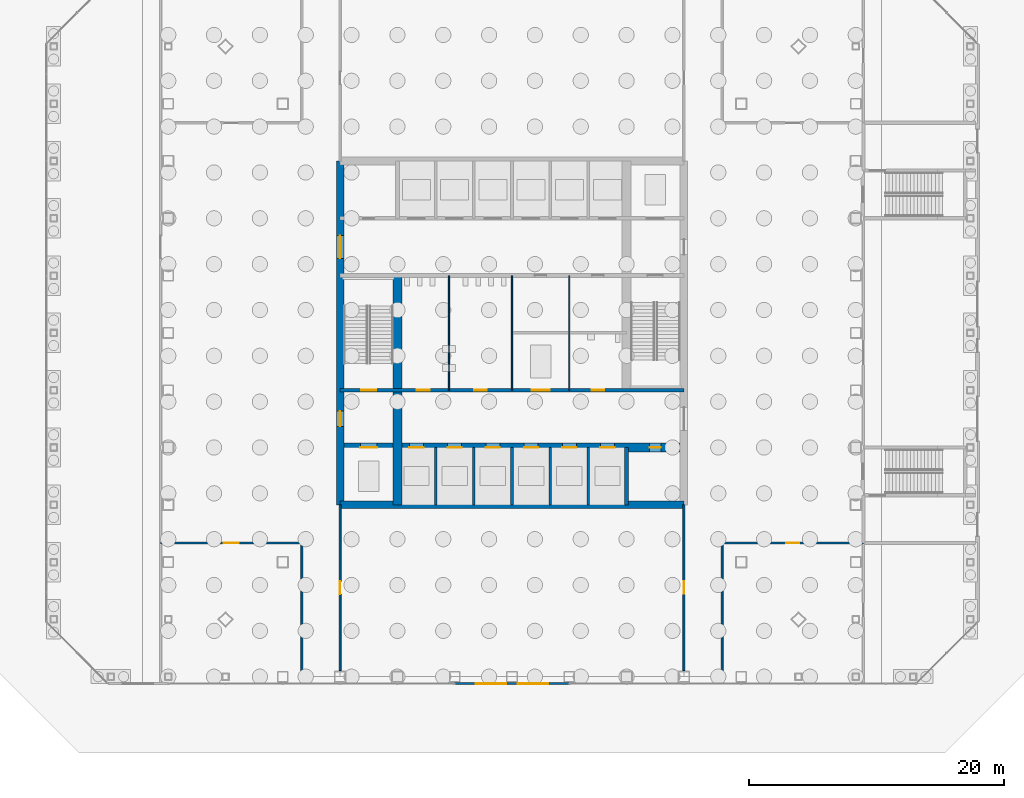
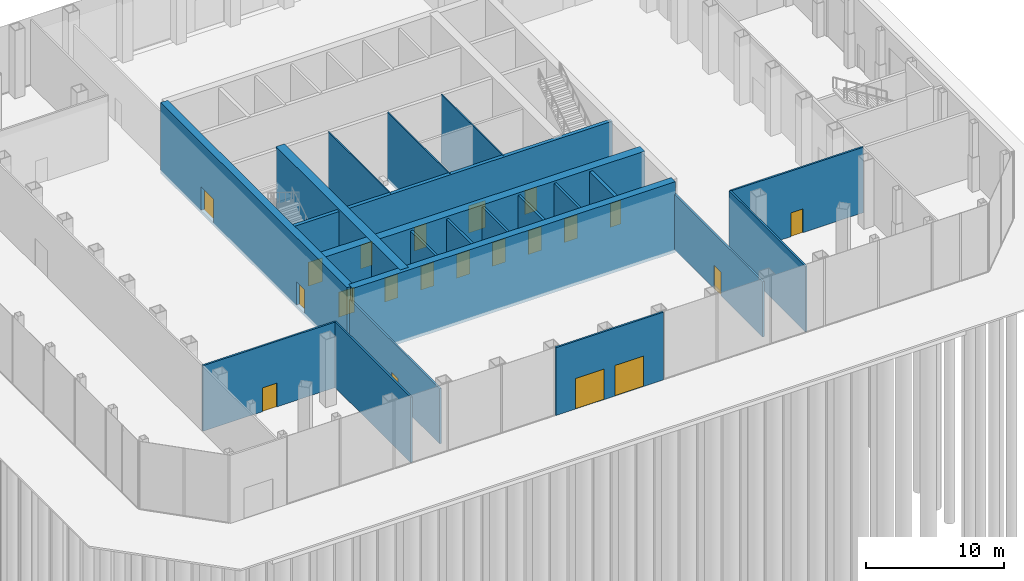
# One storey, part 17 of 24: 21 doors, 21 walls, 21 openings.
"""IFC4 building model written with IfcOpenShell, lengths in metres."""

from ifc_helpers import new_model, si_unit, direction, frame, frame_2d, origin, place, context, subcontext, project, spatial, rectangle, extrude, material, layer, layer_set, type_object, element, fill, save


model = new_model("IFC4")

# Units and contexts
model_context = context("Model", 3, precision=1e-05, world=origin(), true_north=direction((0.0, 1.0)))
body_context = subcontext(model_context, "Body", "Model", "MODEL_VIEW")
ifc_project = project(units=[si_unit("LENGTHUNIT", "METRE"), si_unit("AREAUNIT", "SQUARE_METRE"), si_unit("VOLUMEUNIT", "CUBIC_METRE"), si_unit("PLANEANGLEUNIT", "RADIAN"), si_unit("MASSUNIT", "GRAM", prefix="KILO")], contexts=[model_context])

# Site, building, storey
site_placement = place(None, origin())
site = spatial("IfcSite", under=ifc_project, at=site_placement, CompositionType="ELEMENT")
building_placement = place(site_placement, origin())
building = spatial("IfcBuilding", under=site, at=building_placement, Name="Corais Broadcast Tower", CompositionType="ELEMENT")
storey_placement = place(building_placement, origin())
storey = spatial("IfcBuildingStorey", under=building, at=storey_placement, Name="L00", CompositionType="ELEMENT", Elevation=0.0)

# Wall
ifc_material_1 = material(Name="Concrete blockwork class A, grouted, two-hour", Category="masonry")
ifc_layer_1 = layer(ifc_material_1, 0.300048828125)
ifc_layer_set_1 = layer_set([ifc_layer_1], Name="Concrete blockwork class A, grouted, two-hour")
wall_type_1 = type_object("IfcWallType", Name="Core lobby wall 300", PredefinedType="SOLIDWALL", material=ifc_layer_set_1)
wall_1_placement = place(storey_placement, frame((36.0, 13.5, -0.25), z_axis=(0.0, 0.0, 1.0), x_axis=(0.0, 1.0, 0.0)))
element("IfcWall", 1, at=wall_1_placement, inside=storey, type_object=wall_type_1, Name="CL1 core shaft wall X36A L00", PredefinedType="SOLIDWALL", context=body_context, shape_type="SweptSolid", body=[
    extrude(rectangle(XDim=4.5, YDim=0.300048828125, at=frame_2d((2.25, 0.0))), origin(), (0.0, 0.0, 1.0), 6.050048828125),
])

# Wall, openings, doors
wall_2_placement = place(storey_placement, frame((13.5, 22.5, -0.25), z_axis=(0.0, 0.0, 1.0), x_axis=(1.0, 0.0, 0.0)))
wall_2 = element("IfcWall", 2, at=wall_2_placement, inside=storey, type_object=wall_type_1, Name="CL1 core lobby wall Y225 L00", PredefinedType="SOLIDWALL", context=body_context, shape_type="SweptSolid", body=[
    extrude(rectangle(XDim=27.0, YDim=0.300048828125, at=frame_2d((13.5, 0.0))), origin(), (0.0, 0.0, 1.0), 6.050048828125),
])
opening_1_placement = place(wall_2_placement, frame((1.64990234375, 0.0, 0.25)))
opening_1 = element("IfcOpeningElement", 3, at=opening_1_placement, cuts=wall_2, Name="Opening FD1", PredefinedType="OPENING", context=body_context, shape_type="SweptSolid", body=[
    extrude(rectangle(XDim=1.199951171875, YDim=2.10009765625, at=frame_2d((0.60009765625, 1.050048828125))), frame((0.0, 0.159912109375, 0.0), z_axis=(0.0, -1.0, 0.0), x_axis=(1.0, 0.0, 0.0)), (0.0, 0.0, 1.0), 0.320068359375),
])
opening_2_placement = place(wall_2_placement, frame((6.02490234375, 0.0, 0.25)))
opening_2 = element("IfcOpeningElement", 4, at=opening_2_placement, cuts=wall_2, Name="Opening WD1", PredefinedType="OPENING", context=body_context, shape_type="SweptSolid", body=[
    extrude(rectangle(XDim=1.0, YDim=2.10009765625, at=frame_2d((0.5, 1.050048828125))), frame((0.0, 0.159912109375, 0.0), z_axis=(0.0, -1.0, 0.0), x_axis=(1.0, 0.0, 0.0)), (0.0, 0.0, 1.0), 0.320068359375),
])
opening_3_placement = place(wall_2_placement, frame((10.52490234375, 0.0, 0.25)))
opening_3 = element("IfcOpeningElement", 5, at=opening_3_placement, cuts=wall_2, Name="Opening WD1", PredefinedType="OPENING", context=body_context, shape_type="SweptSolid", body=[
    extrude(rectangle(XDim=1.0, YDim=2.10009765625, at=frame_2d((0.5, 1.050048828125))), frame((0.0, 0.159912109375, 0.0), z_axis=(0.0, -1.0, 0.0), x_axis=(1.0, 0.0, 0.0)), (0.0, 0.0, 1.0), 0.320068359375),
])
opening_4_placement = place(wall_2_placement, frame((19.75, 0.0, 0.25)))
opening_4 = element("IfcOpeningElement", 6, at=opening_4_placement, cuts=wall_2, Name="Opening WD1", PredefinedType="OPENING", context=body_context, shape_type="SweptSolid", body=[
    extrude(rectangle(XDim=1.0, YDim=2.10009765625, at=frame_2d((0.5, 1.050048828125))), frame((0.0, 0.159912109375, 0.0), z_axis=(0.0, -1.0, 0.0), x_axis=(1.0, 0.0, 0.0)), (0.0, 0.0, 1.0), 0.320068359375),
])
opening_5_placement = place(wall_2_placement, frame((15.050048828125, 0.0, 0.25)))
opening_5 = element("IfcOpeningElement", 7, at=opening_5_placement, cuts=wall_2, Name="Opening LD3", PredefinedType="OPENING", context=body_context, shape_type="SweptSolid", body=[
    extrude(rectangle(XDim=1.39990234375, YDim=2.39990234375, at=frame_2d((0.699951171875, 1.199951171875))), frame((0.0, 0.159912109375, 0.0), z_axis=(0.0, -1.0, 0.0), x_axis=(1.0, 0.0, 0.0)), (0.0, 0.0, 1.0), 0.320068359375),
])
ifc_material_2 = material(Name="Steel fire door", Category="steel")
door_type_1 = type_object("IfcDoorType", Name="Fire door 1200x2100", OperationType="SINGLE_SWING_LEFT", PredefinedType="DOOR", material=ifc_material_2)
door_1_placement = place(opening_1_placement, origin())
door_1 = element("IfcDoor", 8, at=door_1_placement, inside=storey, type_object=door_type_1, Name="FD1 stair A door L00", OperationType="SINGLE_SWING_LEFT", OverallHeight=2.10009765625, OverallWidth=1.199951171875, PredefinedType="DOOR", context=body_context, shape_type="SweptSolid", body=[
    extrude(rectangle(XDim=1.199951171875, YDim=2.10009765625, at=frame_2d((0.60009765625, 1.050048828125))), frame((0.0, 0.02490234375, 0.0), z_axis=(0.0, -1.0, 0.0), x_axis=(1.0, 0.0, 0.0)), (0.0, 0.0, 1.0), 0.050048828125),
])
fill(opening_1, door_1)
ifc_material_3 = material(Name="Stainless steel lift door", Category="steel")
door_type_2 = type_object("IfcDoorType", Name="Service lift landing door 1400x2400", OperationType="SLIDING_TO_LEFT", PredefinedType="DOOR", material=ifc_material_3)
door_2_placement = place(opening_5_placement, origin())
door_2 = element("IfcDoor", 9, at=door_2_placement, inside=storey, type_object=door_type_2, Name="LD3 SL1 landing door L00", OperationType="SLIDING_TO_LEFT", OverallHeight=2.39990234375, OverallWidth=1.39990234375, PredefinedType="DOOR", context=body_context, shape_type="SweptSolid", body=[
    extrude(rectangle(XDim=1.39990234375, YDim=2.39990234375, at=frame_2d((0.699951171875, 1.199951171875))), frame((0.0, 0.02490234375, 0.0), z_axis=(0.0, -1.0, 0.0), x_axis=(1.0, 0.0, 0.0)), (0.0, 0.0, 1.0), 0.050048828125),
])
fill(opening_5, door_2)
ifc_material_4 = material(Name="Timber door", Category="wood")
door_type_3 = type_object("IfcDoorType", Name="Toilet door 1000x2100", OperationType="SINGLE_SWING_LEFT", PredefinedType="DOOR", material=ifc_material_4)
door_3_placement = place(opening_2_placement, origin())
door_3 = element("IfcDoor", 10, at=door_3_placement, inside=storey, type_object=door_type_3, Name="WD1 WC male door L00", OperationType="SINGLE_SWING_LEFT", OverallHeight=2.10009765625, OverallWidth=1.0, PredefinedType="DOOR", context=body_context, shape_type="SweptSolid", body=[
    extrude(rectangle(XDim=1.0, YDim=2.10009765625, at=frame_2d((0.5, 1.050048828125))), frame((0.0, 0.02490234375, 0.0), z_axis=(0.0, -1.0, 0.0), x_axis=(1.0, 0.0, 0.0)), (0.0, 0.0, 1.0), 0.050048828125),
])
fill(opening_2, door_3)
door_4_placement = place(opening_3_placement, origin())
door_4 = element("IfcDoor", 11, at=door_4_placement, inside=storey, type_object=door_type_3, Name="WD1 WC female door L00", OperationType="SINGLE_SWING_LEFT", OverallHeight=2.10009765625, OverallWidth=1.0, PredefinedType="DOOR", context=body_context, shape_type="SweptSolid", body=[
    extrude(rectangle(XDim=1.0, YDim=2.10009765625, at=frame_2d((0.5, 1.050048828125))), frame((0.0, 0.02490234375, 0.0), z_axis=(0.0, -1.0, 0.0), x_axis=(1.0, 0.0, 0.0)), (0.0, 0.0, 1.0), 0.050048828125),
])
fill(opening_3, door_4)
door_5_placement = place(opening_4_placement, origin())
door_5 = element("IfcDoor", 12, at=door_5_placement, inside=storey, type_object=door_type_3, Name="WD1 accessible WC door L00", OperationType="SINGLE_SWING_RIGHT", OverallHeight=2.10009765625, OverallWidth=1.0, PredefinedType="DOOR", context=body_context, shape_type="SweptSolid", body=[
    extrude(rectangle(XDim=1.0, YDim=2.10009765625, at=frame_2d((0.5, 1.050048828125))), frame((0.0, 0.02490234375, 0.0), z_axis=(0.0, -1.0, 0.0), x_axis=(1.0, 0.0, 0.0)), (0.0, 0.0, 1.0), 0.050048828125),
])
fill(opening_4, door_5)

# Wall
ifc_material_5 = material(Name="Concrete C50/60", Category="concrete")
ifc_layer_2 = layer(ifc_material_5, 0.699951171875)
ifc_layer_set_2 = layer_set([ifc_layer_2], Name="Concrete C50/60")
wall_type_2 = type_object("IfcWallType", Name="Core spine wall 700", PredefinedType="SHEAR", material=ifc_layer_set_2)
wall_3_placement = place(storey_placement, frame((18.0, 13.5, -0.25), z_axis=(0.0, 0.0, 1.0), x_axis=(0.0, 1.0, 0.0)))
element("IfcWall", 13, at=wall_3_placement, inside=storey, type_object=wall_type_2, Name="CR700 core wall X18A L00", PredefinedType="SHEAR", context=body_context, shape_type="SweptSolid", body=[
    extrude(rectangle(XDim=18.0, YDim=0.699951171875, at=frame_2d((9.0, 0.0))), origin(), (0.0, 0.0, 1.0), 6.25),
])

# Wall, openings, doors
wall_4_placement = place(storey_placement, frame((13.5, 18.0, -0.25), z_axis=(0.0, 0.0, 1.0), x_axis=(1.0, 0.0, 0.0)))
wall_4 = element("IfcWall", 14, at=wall_4_placement, inside=storey, type_object=wall_type_2, Name="CR700 core wall Y18 L00", PredefinedType="SHEAR", context=body_context, shape_type="SweptSolid", body=[
    extrude(rectangle(XDim=27.0, YDim=0.699951171875, at=frame_2d((13.5, 0.0))), origin(), (0.0, 0.0, 1.0), 6.25),
])
opening_6_placement = place(wall_4_placement, frame((24.300048828125, 0.0, 0.25)))
opening_6 = element("IfcOpeningElement", 15, at=opening_6_placement, cuts=wall_4, Name="Opening RD1", PredefinedType="OPENING", context=body_context, shape_type="SweptSolid", body=[
    extrude(rectangle(XDim=0.89990234375, YDim=2.10009765625, at=frame_2d((0.449951171875, 1.050048828125))), frame((0.0, 0.35986328125, 0.0), z_axis=(0.0, -1.0, 0.0), x_axis=(1.0, 0.0, 0.0)), (0.0, 0.0, 1.0), 0.719970703125),
])
opening_7_placement = place(wall_4_placement, frame((5.449951171875, 0.0, 0.25)))
opening_7 = element("IfcOpeningElement", 16, at=opening_7_placement, cuts=wall_4, Name="Opening LD1", PredefinedType="OPENING", context=body_context, shape_type="SweptSolid", body=[
    extrude(rectangle(XDim=1.10009765625, YDim=2.10009765625, at=frame_2d((0.550048828125, 1.050048828125))), frame((0.0, 0.35986328125, 0.0), z_axis=(0.0, -1.0, 0.0), x_axis=(1.0, 0.0, 0.0)), (0.0, 0.0, 1.0), 0.719970703125),
])
opening_8_placement = place(wall_4_placement, frame((8.449951171875, 0.0, 0.25)))
opening_8 = element("IfcOpeningElement", 17, at=opening_8_placement, cuts=wall_4, Name="Opening LD1", PredefinedType="OPENING", context=body_context, shape_type="SweptSolid", body=[
    extrude(rectangle(XDim=1.10009765625, YDim=2.10009765625, at=frame_2d((0.550048828125, 1.050048828125))), frame((0.0, 0.35986328125, 0.0), z_axis=(0.0, -1.0, 0.0), x_axis=(1.0, 0.0, 0.0)), (0.0, 0.0, 1.0), 0.719970703125),
])
opening_9_placement = place(wall_4_placement, frame((11.449951171875, 0.0, 0.25)))
opening_9 = element("IfcOpeningElement", 18, at=opening_9_placement, cuts=wall_4, Name="Opening LD1", PredefinedType="OPENING", context=body_context, shape_type="SweptSolid", body=[
    extrude(rectangle(XDim=1.10009765625, YDim=2.10009765625, at=frame_2d((0.550048828125, 1.050048828125))), frame((0.0, 0.35986328125, 0.0), z_axis=(0.0, -1.0, 0.0), x_axis=(1.0, 0.0, 0.0)), (0.0, 0.0, 1.0), 0.719970703125),
])
opening_10_placement = place(wall_4_placement, frame((14.449951171875, 0.0, 0.25)))
opening_10 = element("IfcOpeningElement", 19, at=opening_10_placement, cuts=wall_4, Name="Opening LD1", PredefinedType="OPENING", context=body_context, shape_type="SweptSolid", body=[
    extrude(rectangle(XDim=1.10009765625, YDim=2.10009765625, at=frame_2d((0.550048828125, 1.050048828125))), frame((0.0, 0.35986328125, 0.0), z_axis=(0.0, -1.0, 0.0), x_axis=(1.0, 0.0, 0.0)), (0.0, 0.0, 1.0), 0.719970703125),
])
opening_11_placement = place(wall_4_placement, frame((17.449951171875, 0.0, 0.25)))
opening_11 = element("IfcOpeningElement", 20, at=opening_11_placement, cuts=wall_4, Name="Opening LD1", PredefinedType="OPENING", context=body_context, shape_type="SweptSolid", body=[
    extrude(rectangle(XDim=1.10009765625, YDim=2.10009765625, at=frame_2d((0.550048828125, 1.050048828125))), frame((0.0, 0.35986328125, 0.0), z_axis=(0.0, -1.0, 0.0), x_axis=(1.0, 0.0, 0.0)), (0.0, 0.0, 1.0), 0.719970703125),
])
opening_12_placement = place(wall_4_placement, frame((20.449951171875, 0.0, 0.25)))
opening_12 = element("IfcOpeningElement", 21, at=opening_12_placement, cuts=wall_4, Name="Opening LD1", PredefinedType="OPENING", context=body_context, shape_type="SweptSolid", body=[
    extrude(rectangle(XDim=1.10009765625, YDim=2.10009765625, at=frame_2d((0.550048828125, 1.050048828125))), frame((0.0, 0.35986328125, 0.0), z_axis=(0.0, -1.0, 0.0), x_axis=(1.0, 0.0, 0.0)), (0.0, 0.0, 1.0), 0.719970703125),
])
opening_13_placement = place(wall_4_placement, frame((1.60009765625, 0.0, 0.25)))
opening_13 = element("IfcOpeningElement", 22, at=opening_13_placement, cuts=wall_4, Name="Opening LD2", PredefinedType="OPENING", context=body_context, shape_type="SweptSolid", body=[
    extrude(rectangle(XDim=1.300048828125, YDim=2.199951171875, at=frame_2d((0.64990234375, 1.10009765625))), frame((0.0, 0.35986328125, 0.0), z_axis=(0.0, -1.0, 0.0), x_axis=(1.0, 0.0, 0.0)), (0.0, 0.0, 1.0), 0.719970703125),
])
ifc_material_6 = material(Name="Stainless steel lift door", Category="steel")
door_type_4 = type_object("IfcDoorType", Name="Lift landing door 1100x2100", OperationType="SLIDING_TO_LEFT", PredefinedType="DOOR", material=ifc_material_6)
door_6_placement = place(opening_7_placement, origin())
door_6 = element("IfcDoor", 23, at=door_6_placement, inside=storey, type_object=door_type_4, Name="LD1 PL1 landing door L00", OperationType="SLIDING_TO_LEFT", OverallHeight=2.10009765625, OverallWidth=1.10009765625, PredefinedType="DOOR", context=body_context, shape_type="SweptSolid", body=[
    extrude(rectangle(XDim=1.10009765625, YDim=2.10009765625, at=frame_2d((0.550048828125, 1.050048828125))), frame((0.0, 0.02490234375, 0.0), z_axis=(0.0, -1.0, 0.0), x_axis=(1.0, 0.0, 0.0)), (0.0, 0.0, 1.0), 0.050048828125),
])
fill(opening_7, door_6)
door_7_placement = place(opening_8_placement, origin())
door_7 = element("IfcDoor", 24, at=door_7_placement, inside=storey, type_object=door_type_4, Name="LD1 PL2 landing door L00", OperationType="SLIDING_TO_LEFT", OverallHeight=2.10009765625, OverallWidth=1.10009765625, PredefinedType="DOOR", context=body_context, shape_type="SweptSolid", body=[
    extrude(rectangle(XDim=1.10009765625, YDim=2.10009765625, at=frame_2d((0.550048828125, 1.050048828125))), frame((0.0, 0.02490234375, 0.0), z_axis=(0.0, -1.0, 0.0), x_axis=(1.0, 0.0, 0.0)), (0.0, 0.0, 1.0), 0.050048828125),
])
fill(opening_8, door_7)
door_8_placement = place(opening_9_placement, origin())
door_8 = element("IfcDoor", 25, at=door_8_placement, inside=storey, type_object=door_type_4, Name="LD1 PL3 landing door L00", OperationType="SLIDING_TO_LEFT", OverallHeight=2.10009765625, OverallWidth=1.10009765625, PredefinedType="DOOR", context=body_context, shape_type="SweptSolid", body=[
    extrude(rectangle(XDim=1.10009765625, YDim=2.10009765625, at=frame_2d((0.550048828125, 1.050048828125))), frame((0.0, 0.02490234375, 0.0), z_axis=(0.0, -1.0, 0.0), x_axis=(1.0, 0.0, 0.0)), (0.0, 0.0, 1.0), 0.050048828125),
])
fill(opening_9, door_8)
door_9_placement = place(opening_10_placement, origin())
door_9 = element("IfcDoor", 26, at=door_9_placement, inside=storey, type_object=door_type_4, Name="LD1 PL4 landing door L00", OperationType="SLIDING_TO_LEFT", OverallHeight=2.10009765625, OverallWidth=1.10009765625, PredefinedType="DOOR", context=body_context, shape_type="SweptSolid", body=[
    extrude(rectangle(XDim=1.10009765625, YDim=2.10009765625, at=frame_2d((0.550048828125, 1.050048828125))), frame((0.0, 0.02490234375, 0.0), z_axis=(0.0, -1.0, 0.0), x_axis=(1.0, 0.0, 0.0)), (0.0, 0.0, 1.0), 0.050048828125),
])
fill(opening_10, door_9)
door_10_placement = place(opening_11_placement, origin())
door_10 = element("IfcDoor", 27, at=door_10_placement, inside=storey, type_object=door_type_4, Name="LD1 PL5 landing door L00", OperationType="SLIDING_TO_LEFT", OverallHeight=2.10009765625, OverallWidth=1.10009765625, PredefinedType="DOOR", context=body_context, shape_type="SweptSolid", body=[
    extrude(rectangle(XDim=1.10009765625, YDim=2.10009765625, at=frame_2d((0.550048828125, 1.050048828125))), frame((0.0, 0.02490234375, 0.0), z_axis=(0.0, -1.0, 0.0), x_axis=(1.0, 0.0, 0.0)), (0.0, 0.0, 1.0), 0.050048828125),
])
fill(opening_11, door_10)
door_11_placement = place(opening_12_placement, origin())
door_11 = element("IfcDoor", 28, at=door_11_placement, inside=storey, type_object=door_type_4, Name="LD1 PL6 landing door L00", OperationType="SLIDING_TO_LEFT", OverallHeight=2.10009765625, OverallWidth=1.10009765625, PredefinedType="DOOR", context=body_context, shape_type="SweptSolid", body=[
    extrude(rectangle(XDim=1.10009765625, YDim=2.10009765625, at=frame_2d((0.550048828125, 1.050048828125))), frame((0.0, 0.02490234375, 0.0), z_axis=(0.0, -1.0, 0.0), x_axis=(1.0, 0.0, 0.0)), (0.0, 0.0, 1.0), 0.050048828125),
])
fill(opening_12, door_11)
ifc_material_7 = material(Name="Stainless steel lift door", Category="steel")
door_type_5 = type_object("IfcDoorType", Name="Lift landing door 1300x2200", OperationType="SLIDING_TO_LEFT", PredefinedType="DOOR", material=ifc_material_7)
door_12_placement = place(opening_13_placement, origin())
door_12 = element("IfcDoor", 29, at=door_12_placement, inside=storey, type_object=door_type_5, Name="LD2 FL1 landing door L00", OperationType="SLIDING_TO_LEFT", OverallHeight=2.199951171875, OverallWidth=1.300048828125, PredefinedType="DOOR", context=body_context, shape_type="SweptSolid", body=[
    extrude(rectangle(XDim=1.300048828125, YDim=2.199951171875, at=frame_2d((0.64990234375, 1.10009765625))), frame((0.0, 0.02490234375, 0.0), z_axis=(0.0, -1.0, 0.0), x_axis=(1.0, 0.0, 0.0)), (0.0, 0.0, 1.0), 0.050048828125),
])
fill(opening_13, door_12)
ifc_material_8 = material(Name="Steel fire door", Category="steel")
door_type_6 = type_object("IfcDoorType", Name="Riser door 900x2100", OperationType="SINGLE_SWING_LEFT", PredefinedType="DOOR", material=ifc_material_8)
door_13_placement = place(opening_6_placement, origin())
door_13 = element("IfcDoor", 30, at=door_13_placement, inside=storey, type_object=door_type_6, Name="RD1 riser door L00", OperationType="SINGLE_SWING_RIGHT", OverallHeight=2.10009765625, OverallWidth=0.89990234375, PredefinedType="DOOR", context=body_context, shape_type="SweptSolid", body=[
    extrude(rectangle(XDim=0.89990234375, YDim=2.10009765625, at=frame_2d((0.449951171875, 1.050048828125))), frame((0.0, 0.02490234375, 0.0), z_axis=(0.0, -1.0, 0.0), x_axis=(1.0, 0.0, 0.0)), (0.0, 0.0, 1.0), 0.050048828125),
])
fill(opening_6, door_13)

# Wall
ifc_material_9 = material(Name="Concrete C50/60", Category="concrete")
ifc_layer_3 = layer(ifc_material_9, 0.60009765625)
ifc_layer_set_3 = layer_set([ifc_layer_3], Name="Concrete C50/60")
wall_type_3 = type_object("IfcWallType", Name="Core wall 600", PredefinedType="SHEAR", material=ifc_layer_set_3)
wall_5_placement = place(storey_placement, frame((13.5, 13.5, -0.25), z_axis=(0.0, 0.0, 1.0), x_axis=(1.0, 0.0, 0.0)))
element("IfcWall", 31, at=wall_5_placement, inside=storey, type_object=wall_type_3, Name="CR600 core wall S L00", PredefinedType="SHEAR", context=body_context, shape_type="SweptSolid", body=[
    extrude(rectangle(XDim=27.0, YDim=0.60009765625, at=frame_2d((13.5, 0.0))), origin(), (0.0, 0.0, 1.0), 6.25),
])

# Wall, openings, doors
wall_6_placement = place(storey_placement, frame((13.5, 40.5, -0.25), z_axis=(0.0, 0.0, 1.0), x_axis=(0.0, -1.0, 0.0)))
wall_6 = element("IfcWall", 32, at=wall_6_placement, inside=storey, type_object=wall_type_3, Name="CR600 core wall W L00", PredefinedType="SHEAR", context=body_context, shape_type="SweptSolid", body=[
    extrude(rectangle(XDim=27.0, YDim=0.60009765625, at=frame_2d((13.5, 0.0))), origin(), (0.0, 0.0, 1.0), 6.25),
])
opening_14_placement = place(wall_6_placement, frame((19.64990234375, 0.0, 0.25)))
opening_14 = element("IfcOpeningElement", 33, at=opening_14_placement, cuts=wall_6, Name="Opening FD1", PredefinedType="OPENING", context=body_context, shape_type="SweptSolid", body=[
    extrude(rectangle(XDim=1.199951171875, YDim=2.10009765625, at=frame_2d((0.60009765625, 1.050048828125))), frame((0.0, 0.31005859375, 0.0), z_axis=(0.0, -1.0, 0.0), x_axis=(1.0, 0.0, 0.0)), (0.0, 0.0, 1.0), 0.6201171875),
])
opening_15_placement = place(wall_6_placement, frame((5.85009765625, 0.0, 0.25)))
opening_15 = element("IfcOpeningElement", 34, at=opening_15_placement, cuts=wall_6, Name="Opening FD2", PredefinedType="OPENING", context=body_context, shape_type="SweptSolid", body=[
    extrude(rectangle(XDim=1.800048828125, YDim=2.10009765625, at=frame_2d((0.89990234375, 1.050048828125))), frame((0.0, 0.31005859375, 0.0), z_axis=(0.0, -1.0, 0.0), x_axis=(1.0, 0.0, 0.0)), (0.0, 0.0, 1.0), 0.6201171875),
])
door_14_placement = place(opening_14_placement, origin())
door_14 = element("IfcDoor", 35, at=door_14_placement, inside=storey, type_object=door_type_1, Name="FD1 fire lobby A door L00", OperationType="SINGLE_SWING_RIGHT", OverallHeight=2.10009765625, OverallWidth=1.199951171875, PredefinedType="DOOR", context=body_context, shape_type="SweptSolid", body=[
    extrude(rectangle(XDim=1.199951171875, YDim=2.10009765625, at=frame_2d((0.60009765625, 1.050048828125))), frame((0.0, 0.02490234375, 0.0), z_axis=(0.0, -1.0, 0.0), x_axis=(1.0, 0.0, 0.0)), (0.0, 0.0, 1.0), 0.050048828125),
])
fill(opening_14, door_14)
ifc_material_10 = material(Name="Steel fire door", Category="steel")
door_type_7 = type_object("IfcDoorType", Name="Fire door pair 1800x2100", OperationType="DOUBLE_DOOR_SINGLE_SWING", PredefinedType="DOOR", material=ifc_material_10)
door_15_placement = place(opening_15_placement, origin())
door_15 = element("IfcDoor", 36, at=door_15_placement, inside=storey, type_object=door_type_7, Name="FD2 lift lobby door L00", OperationType="SINGLE_SWING_LEFT", OverallHeight=2.10009765625, OverallWidth=1.800048828125, PredefinedType="DOOR", context=body_context, shape_type="SweptSolid", body=[
    extrude(rectangle(XDim=1.800048828125, YDim=2.10009765625, at=frame_2d((0.89990234375, 1.050048828125))), frame((0.0, 0.02490234375, 0.0), z_axis=(0.0, -1.0, 0.0), x_axis=(1.0, 0.0, 0.0)), (0.0, 0.0, 1.0), 0.050048828125),
])
fill(opening_15, door_15)

# Wall
ifc_material_11 = material(Name="Two layers of fire-rated gypsum board each side on steel studs", Category="steel")
ifc_layer_4 = layer(ifc_material_11, 0.14990234375)
ifc_layer_set_4 = layer_set([ifc_layer_4], Name="Two layers of fire-rated gypsum board each side on steel studs")
wall_type_4 = type_object("IfcWallType", Name="Fire-rated partition 150 EI 90", PredefinedType="PARTITIONING", material=ifc_layer_set_4)
wall_7_placement = place(storey_placement, frame((10.5, -0.52001953125, 0.0), z_axis=(0.0, 0.0, 1.0), x_axis=(0.0, 1.0, 0.0)))
element("IfcWall", 37, at=wall_7_placement, inside=storey, type_object=wall_type_4, Name="IW8 partition L00", PredefinedType="PARTITIONING", context=body_context, shape_type="SweptSolid", body=[
    extrude(rectangle(XDim=11.02001953125, YDim=0.14990234375, at=frame_2d((5.510009765625, 0.0))), origin(), (0.0, 0.0, 1.0), 5.800048828125),
])

# Wall, opening, door
wall_8_placement = place(storey_placement, frame((10.5, 10.5, 0.0), z_axis=(0.0, 0.0, 1.0), x_axis=(-1.0, 0.0, 0.0)))
wall_8 = element("IfcWall", 38, at=wall_8_placement, inside=storey, type_object=wall_type_4, Name="IW8 partition L00", PredefinedType="PARTITIONING", context=body_context, shape_type="SweptSolid", body=[
    extrude(rectangle(XDim=11.10009765625, YDim=0.14990234375, at=frame_2d((5.550048828125, 0.0))), origin(), (0.0, 0.0, 1.0), 5.800048828125),
])
opening_16_placement = place(wall_8_placement, frame((4.949951171875, 0.0, 0.0)))
opening_16 = element("IfcOpeningElement", 39, at=opening_16_placement, cuts=wall_8, Name="Opening FD1", PredefinedType="OPENING", context=body_context, shape_type="SweptSolid", body=[
    extrude(rectangle(XDim=1.199951171875, YDim=2.10009765625, at=frame_2d((0.60009765625, 1.050048828125))), frame((0.0, 0.0849609375, 0.0), z_axis=(0.0, -1.0, 0.0), x_axis=(1.0, 0.0, 0.0)), (0.0, 0.0, 1.0), 0.169921875),
])
door_16_placement = place(opening_16_placement, origin())
door_16 = element("IfcDoor", 40, at=door_16_placement, inside=storey, type_object=door_type_1, Name="FD1 Fire command centre door", OperationType="SINGLE_SWING_LEFT", OverallHeight=2.10009765625, OverallWidth=1.199951171875, PredefinedType="DOOR", context=body_context, shape_type="SweptSolid", body=[
    extrude(rectangle(XDim=1.199951171875, YDim=2.10009765625, at=frame_2d((0.60009765625, 1.050048828125))), frame((0.0, 0.02490234375, 0.0), z_axis=(0.0, -1.0, 0.0), x_axis=(1.0, 0.0, 0.0)), (0.0, 0.0, 1.0), 0.050048828125),
])
fill(opening_16, door_16)

# Wall, openings, doors
ifc_material_12 = material(Name="Clear laminated glass in stainless steel frame", Category="steel")
ifc_layer_5 = layer(ifc_material_12, 0.14990234375)
ifc_layer_set_5 = layer_set([ifc_layer_5], Name="Clear laminated glass in stainless steel frame")
wall_type_5 = type_object("IfcWallType", Name="Glazed entrance screen 150", PredefinedType="USERDEFINED", material=ifc_layer_set_5)
wall_9_placement = place(storey_placement, frame((22.5, -0.550048828125, 0.0), z_axis=(0.0, 0.0, 1.0), x_axis=(1.0, 0.0, 0.0)))
wall_9 = element("IfcWall", 41, at=wall_9_placement, inside=storey, type_object=wall_type_5, Name="ES1 screen wall L00", ObjectType="ENTRANCE SCREEN", PredefinedType="USERDEFINED", context=body_context, shape_type="SweptSolid", body=[
    extrude(rectangle(XDim=9.0, YDim=0.14990234375, at=frame_2d((4.5, 0.0))), origin(), (0.0, 0.0, 1.0), 6.0),
])
opening_17_placement = place(wall_9_placement, frame((1.64990234375, 0.0, 0.0)))
opening_17 = element("IfcOpeningElement", 42, at=opening_17_placement, cuts=wall_9, Name="Opening ED1", PredefinedType="OPENING", context=body_context, shape_type="SweptSolid", body=[
    extrude(rectangle(XDim=2.39990234375, YDim=2.699951171875, at=frame_2d((1.199951171875, 1.35009765625))), frame((0.0, 0.0849609375, 0.0), z_axis=(0.0, -1.0, 0.0), x_axis=(1.0, 0.0, 0.0)), (0.0, 0.0, 1.0), 0.169921875),
])
opening_18_placement = place(wall_9_placement, frame((4.949951171875, 0.0, 0.0)))
opening_18 = element("IfcOpeningElement", 43, at=opening_18_placement, cuts=wall_9, Name="Opening ED1", PredefinedType="OPENING", context=body_context, shape_type="SweptSolid", body=[
    extrude(rectangle(XDim=2.39990234375, YDim=2.699951171875, at=frame_2d((1.199951171875, 1.35009765625))), frame((0.0, 0.0849609375, 0.0), z_axis=(0.0, -1.0, 0.0), x_axis=(1.0, 0.0, 0.0)), (0.0, 0.0, 1.0), 0.169921875),
])
ifc_material_13 = material(Name="Stainless steel and glass", Category="steel")
door_type_8 = type_object("IfcDoorType", Name="Entrance double door 2400x2700", OperationType="DOUBLE_DOOR_SINGLE_SWING", PredefinedType="DOOR", material=ifc_material_13)
door_17_placement = place(opening_17_placement, origin())
door_17 = element("IfcDoor", 44, at=door_17_placement, inside=storey, type_object=door_type_8, Name="ED1 ED-L00-1-0", OperationType="SINGLE_SWING_LEFT", OverallHeight=2.699951171875, OverallWidth=2.39990234375, PredefinedType="DOOR", context=body_context, shape_type="SweptSolid", body=[
    extrude(rectangle(XDim=2.39990234375, YDim=2.699951171875, at=frame_2d((1.199951171875, 1.35009765625))), frame((0.0, 0.02490234375, 0.0), z_axis=(0.0, -1.0, 0.0), x_axis=(1.0, 0.0, 0.0)), (0.0, 0.0, 1.0), 0.050048828125),
])
fill(opening_17, door_17)
door_18_placement = place(opening_18_placement, origin())
door_18 = element("IfcDoor", 45, at=door_18_placement, inside=storey, type_object=door_type_8, Name="ED1 ED-L00-1-1", OperationType="SINGLE_SWING_LEFT", OverallHeight=2.699951171875, OverallWidth=2.39990234375, PredefinedType="DOOR", context=body_context, shape_type="SweptSolid", body=[
    extrude(rectangle(XDim=2.39990234375, YDim=2.699951171875, at=frame_2d((1.199951171875, 1.35009765625))), frame((0.0, 0.02490234375, 0.0), z_axis=(0.0, -1.0, 0.0), x_axis=(1.0, 0.0, 0.0)), (0.0, 0.0, 1.0), 0.050048828125),
])
fill(opening_18, door_18)

# Wall, opening, door
ifc_material_14 = material(Name="Gypsum board on steel studs", Category="steel")
ifc_layer_6 = layer(ifc_material_14, 0.14990234375)
ifc_layer_set_6 = layer_set([ifc_layer_6], Name="Gypsum board on steel studs")
wall_type_6 = type_object("IfcWallType", Name="Partition 150", PredefinedType="PARTITIONING", material=ifc_layer_set_6)
wall_10_placement = place(storey_placement, frame((54.60009765625, 10.5, 0.0), z_axis=(0.0, 0.0, 1.0), x_axis=(-1.0, 0.0, 0.0)))
wall_10 = element("IfcWall", 46, at=wall_10_placement, inside=storey, type_object=wall_type_6, Name="IW3 partition L00", PredefinedType="PARTITIONING", context=body_context, shape_type="SweptSolid", body=[
    extrude(rectangle(XDim=11.10009765625, YDim=0.14990234375, at=frame_2d((5.550048828125, 0.0))), origin(), (0.0, 0.0, 1.0), 5.800048828125),
])
opening_19_placement = place(wall_10_placement, frame((5.050048828125, 0.0, 0.0)))
opening_19 = element("IfcOpeningElement", 47, at=opening_19_placement, cuts=wall_10, Name="Opening D1", PredefinedType="OPENING", context=body_context, shape_type="SweptSolid", body=[
    extrude(rectangle(XDim=1.0, YDim=2.10009765625, at=frame_2d((0.5, 1.050048828125))), frame((0.0, 0.0849609375, 0.0), z_axis=(0.0, -1.0, 0.0), x_axis=(1.0, 0.0, 0.0)), (0.0, 0.0, 1.0), 0.169921875),
])
ifc_material_15 = material(Name="Timber door", Category="wood")
door_type_9 = type_object("IfcDoorType", Name="Single door 1000x2100", OperationType="SINGLE_SWING_LEFT", PredefinedType="DOOR", material=ifc_material_15)
door_19_placement = place(opening_19_placement, origin())
door_19 = element("IfcDoor", 48, at=door_19_placement, inside=storey, type_object=door_type_9, Name="D1 Mail room door", OperationType="SINGLE_SWING_LEFT", OverallHeight=2.10009765625, OverallWidth=1.0, PredefinedType="DOOR", context=body_context, shape_type="SweptSolid", body=[
    extrude(rectangle(XDim=1.0, YDim=2.10009765625, at=frame_2d((0.5, 1.050048828125))), frame((0.0, 0.02490234375, 0.0), z_axis=(0.0, -1.0, 0.0), x_axis=(1.0, 0.0, 0.0)), (0.0, 0.0, 1.0), 0.050048828125),
])
fill(opening_19, door_19)

# Wall
wall_11_placement = place(storey_placement, frame((43.5, 10.5, 0.0), z_axis=(0.0, 0.0, 1.0), x_axis=(0.0, -1.0, 0.0)))
element("IfcWall", 49, at=wall_11_placement, inside=storey, type_object=wall_type_6, Name="IW3 partition L00", PredefinedType="PARTITIONING", context=body_context, shape_type="SweptSolid", body=[
    extrude(rectangle(XDim=11.02001953125, YDim=0.14990234375, at=frame_2d((5.510009765625, 0.0))), origin(), (0.0, 0.0, 1.0), 5.800048828125),
])

# Wall, opening, door
wall_12_placement = place(storey_placement, frame((40.5, 0.469970703125, 0.0), z_axis=(0.0, 0.0, 1.0), x_axis=(0.0, 1.0, 0.0)))
wall_12 = element("IfcWall", 50, at=wall_12_placement, inside=storey, type_object=wall_type_6, Name="IW3 partition L00", PredefinedType="PARTITIONING", context=body_context, shape_type="SweptSolid", body=[
    extrude(rectangle(XDim=13.050048828125, YDim=0.14990234375, at=frame_2d((6.52490234375, 0.0))), origin(), (0.0, 0.0, 1.0), 4.880859375),
])
opening_20_placement = place(wall_12_placement, frame((6.02490234375, 0.0, 0.0)))
opening_20 = element("IfcOpeningElement", 51, at=opening_20_placement, cuts=wall_12, Name="Opening D1", PredefinedType="OPENING", context=body_context, shape_type="SweptSolid", body=[
    extrude(rectangle(XDim=1.0, YDim=2.10009765625, at=frame_2d((0.5, 1.050048828125))), frame((0.0, 0.0849609375, 0.0), z_axis=(0.0, -1.0, 0.0), x_axis=(1.0, 0.0, 0.0)), (0.0, 0.0, 1.0), 0.169921875),
])
door_20_placement = place(opening_20_placement, origin())
door_20 = element("IfcDoor", 52, at=door_20_placement, inside=storey, type_object=door_type_9, Name="D1 team room door L00", OperationType="SINGLE_SWING_LEFT", OverallHeight=2.10009765625, OverallWidth=1.0, PredefinedType="DOOR", context=body_context, shape_type="SweptSolid", body=[
    extrude(rectangle(XDim=1.0, YDim=2.10009765625, at=frame_2d((0.5, 1.050048828125))), frame((0.0, 0.02490234375, 0.0), z_axis=(0.0, -1.0, 0.0), x_axis=(1.0, 0.0, 0.0)), (0.0, 0.0, 1.0), 0.050048828125),
])
fill(opening_20, door_20)

wall_13_placement = place(storey_placement, frame((13.5, 0.469970703125, 0.0), z_axis=(0.0, 0.0, 1.0), x_axis=(0.0, 1.0, 0.0)))
wall_13 = element("IfcWall", 53, at=wall_13_placement, inside=storey, type_object=wall_type_6, Name="IW3 partition L00", PredefinedType="PARTITIONING", context=body_context, shape_type="SweptSolid", body=[
    extrude(rectangle(XDim=13.030029296875, YDim=0.14990234375, at=frame_2d((6.51513671875, 0.0))), origin(), (0.0, 0.0, 1.0), 4.880859375),
])
opening_21_placement = place(wall_13_placement, frame((6.014892578125, 0.0, 0.0)))
opening_21 = element("IfcOpeningElement", 54, at=opening_21_placement, cuts=wall_13, Name="Opening D1", PredefinedType="OPENING", context=body_context, shape_type="SweptSolid", body=[
    extrude(rectangle(XDim=1.0, YDim=2.10009765625, at=frame_2d((0.5, 1.050048828125))), frame((0.0, 0.0849609375, 0.0), z_axis=(0.0, -1.0, 0.0), x_axis=(1.0, 0.0, 0.0)), (0.0, 0.0, 1.0), 0.169921875),
])
door_21_placement = place(opening_21_placement, origin())
door_21 = element("IfcDoor", 55, at=door_21_placement, inside=storey, type_object=door_type_9, Name="D1 team room door L00", OperationType="SINGLE_SWING_LEFT", OverallHeight=2.10009765625, OverallWidth=1.0, PredefinedType="DOOR", context=body_context, shape_type="SweptSolid", body=[
    extrude(rectangle(XDim=1.0, YDim=2.10009765625, at=frame_2d((0.5, 1.050048828125))), frame((0.0, 0.02490234375, 0.0), z_axis=(0.0, -1.0, 0.0), x_axis=(1.0, 0.0, 0.0)), (0.0, 0.0, 1.0), 0.050048828125),
])
fill(opening_21, door_21)

# Walls
ifc_material_16 = material(Name="Concrete blockwork class A, grouted, two-hour", Category="masonry")
ifc_layer_7 = layer(ifc_material_16, 0.199951171875)
ifc_layer_set_7 = layer_set([ifc_layer_7], Name="Concrete blockwork class A, grouted, two-hour")
wall_type_7 = type_object("IfcWallType", Name="Shaft wall 200", PredefinedType="PARTITIONING", material=ifc_layer_set_7)
for number, where, z_axis, x_axis, name in (
    (56, (21.0, 13.5, -0.25), (0.0, 0.0, 1.0), (0.0, 1.0, 0.0), "IW1 shaft wall L00"),
    (57, (24.0, 13.5, -0.25), (0.0, 0.0, 1.0), (0.0, 1.0, 0.0), "IW1 shaft wall L00"),
    (58, (27.0, 13.5, -0.25), (0.0, 0.0, 1.0), (0.0, 1.0, 0.0), "IW1 shaft wall L00"),
    (59, (30.0, 13.5, -0.25), (0.0, 0.0, 1.0), (0.0, 1.0, 0.0), "IW1 shaft wall L00"),
    (60, (33.0, 13.5, -0.25), (0.0, 0.0, 1.0), (0.0, 1.0, 0.0), "IW1 shaft wall L00"),
):
    element("IfcWall", number, at=place(storey_placement, frame(where, z_axis=z_axis, x_axis=x_axis)), inside=storey, type_object=wall_type_7, Name=name, PredefinedType="PARTITIONING", context=body_context, shape_type="SweptSolid", body=[
        extrude(rectangle(XDim=4.5, YDim=0.199951171875, at=frame_2d((2.25, 0.0))), origin(), (0.0, 0.0, 1.0), 6.050048828125),
    ])
ifc_material_17 = material(Name="Dense concrete blockwork class A, tiled both faces", Category="masonry")
ifc_layer_8 = layer(ifc_material_17, 0.10009765625)
ifc_layer_set_8 = layer_set([ifc_layer_8], Name="Dense concrete blockwork class A, tiled both faces")
wall_type_8 = type_object("IfcWallType", Name="Toilet wall 100", PredefinedType="PLUMBINGWALL", material=ifc_layer_set_8)
for number, where, z_axis, x_axis, name in (
    (61, (22.050048828125, 22.5, -0.25), (0.0, 0.0, 1.0), (0.0, 1.0, 0.0), "IW2 toilet wall L00"),
    (62, (27.0, 22.5, -0.25), (0.0, 0.0, 1.0), (0.0, 1.0, 0.0), "IW2 toilet wall L00"),
    (63, (31.5, 22.5, -0.25), (0.0, 0.0, 1.0), (0.0, 1.0, 0.0), "IW2 toilet wall L00"),
):
    element("IfcWall", number, at=place(storey_placement, frame(where, z_axis=z_axis, x_axis=x_axis)), inside=storey, type_object=wall_type_8, Name=name, PredefinedType="PLUMBINGWALL", context=body_context, shape_type="SweptSolid", body=[
        extrude(rectangle(XDim=9.0, YDim=0.10009765625, at=frame_2d((4.5, 0.0))), origin(), (0.0, 0.0, 1.0), 6.050048828125),
    ])

save(model, "model.ifc")
